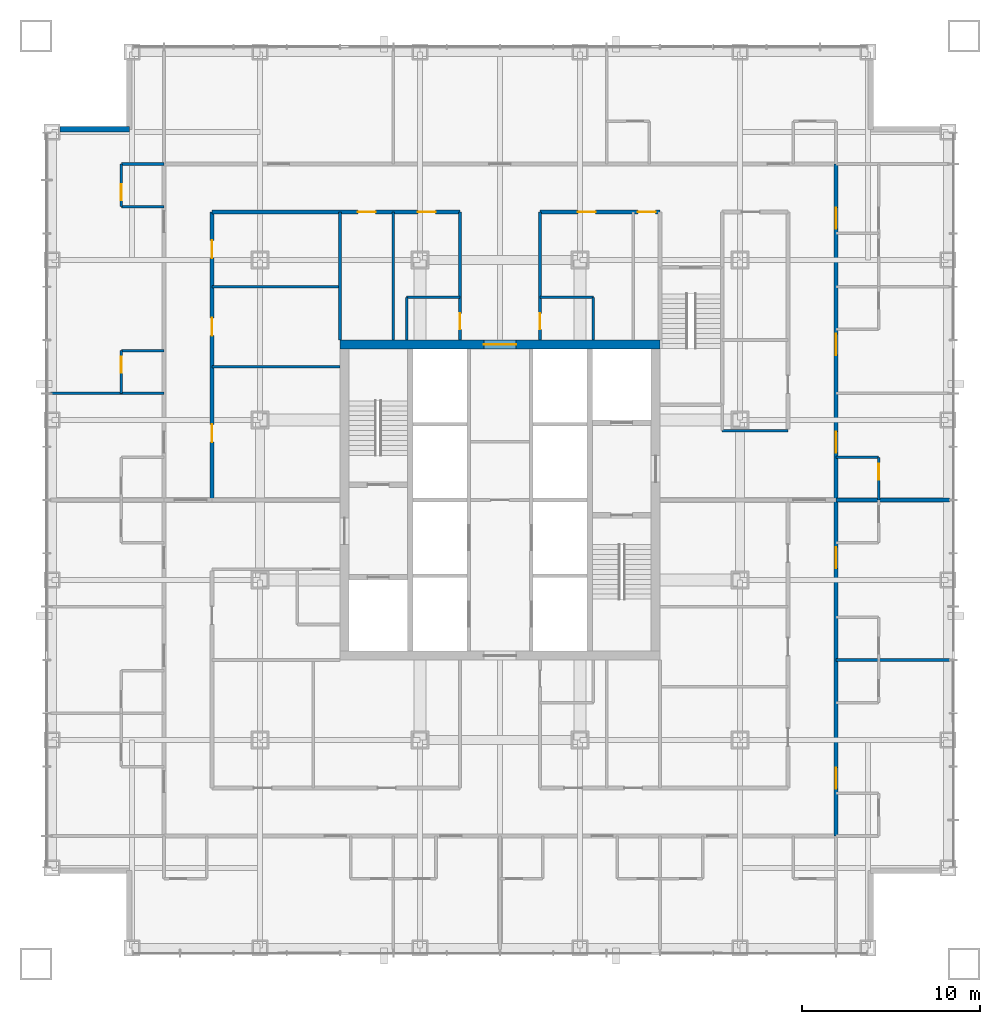
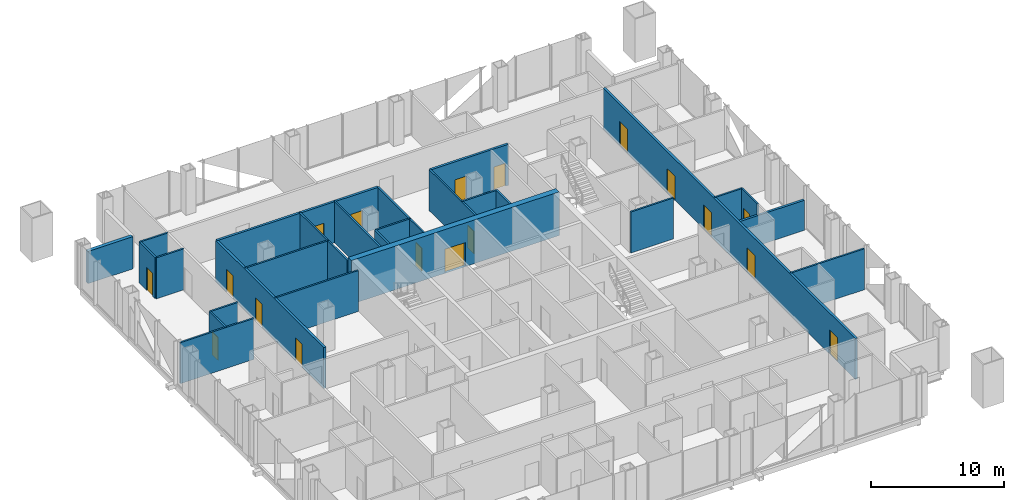
# One storey, part 10 of 17: 27 walls, 18 doors, 18 openings.
"""IFC4 building model written with IfcOpenShell, lengths in metres."""

import ifcopenshell
import ifcopenshell.guid

model = None  # the IFC model being written
_history = None  # IfcOwnerHistory: only IFC2X3 demands one
_inside = {}  # id of a spatial element -> (the spatial element, [elements in it])
_under = {}  # id of a project, library or spatial element -> (it, [spatial elements below it])
_declared = {}  # id of a project -> (the project, [libraries it declares])
_typed = {}  # id of a type object -> (the type object, [elements of that type])
_made_of = {}  # id of a material, layer set ... -> (it, [elements and type objects made of it])


def new_model(schema):
    """Start an empty IFC model of exactly this schema.

    Asked for "IFC4X3", IfcOpenShell would pick the latest addendum, in which some entities
    have other attributes; the version numbers below select the first issue.
    IFC2X3 requires an IfcOwnerHistory on every rooted entity: one is made here for all.
    """
    global model, _history
    if schema == "IFC4X3":
        model = ifcopenshell.file(schema_version=(4, 3, 0, 0))
    else:
        model = ifcopenshell.file(schema=schema)
    _inside.clear()
    _under.clear()
    _declared.clear()
    _typed.clear()
    _made_of.clear()
    _history = None
    if model.schema == "IFC2X3":
        org = make("IfcOrganization", Name="unknown")
        user = make(
            "IfcPersonAndOrganization",
            ThePerson=make("IfcPerson", FamilyName="unknown"),
            TheOrganization=org,
        )
        app = make(
            "IfcApplication",
            ApplicationDeveloper=org,
            Version="unknown",
            ApplicationFullName="unknown",
            ApplicationIdentifier="unknown",
        )
        _history = make(
            "IfcOwnerHistory",
            OwningUser=user,
            OwningApplication=app,
            ChangeAction="ADDED",
            CreationDate=0,
        )
    return model


def make(cls, **values):
    """One entity of the class cls with the attributes given. An attribute that is None is left unset."""
    return model.create_entity(
        cls, **{name: value for name, value in values.items() if value is not None}
    )


def rooted(cls, **values):
    """An entity with a GlobalId (a new one), such as an element, a storey or a relation."""
    return make(cls, GlobalId=ifcopenshell.guid.new(), OwnerHistory=_history, **values)


def si_unit(unit_type, name, prefix=None):
    """IfcSIUnit, for example si_unit("LENGTHUNIT", "METRE", prefix="MILLI")."""
    return make("IfcSIUnit", UnitType=unit_type, Prefix=prefix, Name=name)


def assignment(units):
    """IfcUnitAssignment: the units of a project."""
    return None if units is None else make("IfcUnitAssignment", Units=units)


def point(xyz):
    """IfcCartesianPoint."""
    return None if xyz is None else make("IfcCartesianPoint", Coordinates=xyz)


def direction(xyz):
    """IfcDirection."""
    return None if xyz is None else make("IfcDirection", DirectionRatios=xyz)


def frame(location, z_axis=None, x_axis=None):
    """IfcAxis2Placement3D, a coordinate frame: its origin and axes. An axis left out is left unset."""
    return make(
        "IfcAxis2Placement3D",
        Location=point(location),
        Axis=direction(z_axis),
        RefDirection=direction(x_axis),
    )


def frame_2d(location, x_axis=None):
    """IfcAxis2Placement2D, a coordinate frame in the plane: its origin and x axis."""
    return make(
        "IfcAxis2Placement2D", Location=point(location), RefDirection=direction(x_axis)
    )


def origin():
    """The frame at (0, 0, 0) with its axes left unset."""
    return frame((0.0, 0.0, 0.0))


def place(relative_to, where):
    """IfcLocalPlacement: puts the frame where relative to a parent placement (None: the world)."""
    return make(
        "IfcLocalPlacement", PlacementRelTo=relative_to, RelativePlacement=where
    )


def context(
    kind, dimensions, precision=None, world=None, true_north=None, identifier=None
):
    """IfcGeometricRepresentationContext, for example the 3D "Model" context."""
    return make(
        "IfcGeometricRepresentationContext",
        ContextIdentifier=identifier,
        ContextType=kind,
        CoordinateSpaceDimension=dimensions,
        Precision=precision,
        WorldCoordinateSystem=world,
        TrueNorth=true_north,
    )


def subcontext(parent, identifier, kind, view, scale=None):
    """IfcGeometricRepresentationSubContext, for example "Body" below "Model"."""
    return make(
        "IfcGeometricRepresentationSubContext",
        ContextIdentifier=identifier,
        ContextType=kind,
        ParentContext=parent,
        TargetScale=scale,
        TargetView=view,
    )


def project(units=None, contexts=None):
    """IfcProject with its units and contexts."""
    return rooted(
        "IfcProject",
        Name="project",
        RepresentationContexts=contexts,
        UnitsInContext=assignment(units),
    )


def spatial(cls, under=None, at=None, **own):
    """A site, building, storey or space (cls), placed at a placement, below another one or the project."""
    s = rooted(cls, ObjectPlacement=at, **own)
    if under is not None:
        _under.setdefault(under.id(), (under, []))[1].append(s)
    return s


def profile(cls, at=None, kind="AREA", **sizes):
    """A parametric profile (cls). Its sizes go by their IFC names, for example OverallWidth=200.0."""
    return make(cls, ProfileType=kind, Position=at, **sizes)


def rectangle(**sizes):
    """IfcRectangleProfileDef."""
    return profile("IfcRectangleProfileDef", **sizes)


def extrude(swept, where, along, depth):
    """IfcExtrudedAreaSolid: the profile swept, set in the frame where, extruded along a direction by depth."""
    return make(
        "IfcExtrudedAreaSolid",
        SweptArea=swept,
        Position=where,
        ExtrudedDirection=direction(along),
        Depth=depth,
    )


def shape(context_of_items, identifier, shape_type, items):
    """IfcShapeRepresentation: the items that make up one representation, for example the "Body"."""
    return make(
        "IfcShapeRepresentation",
        ContextOfItems=context_of_items,
        RepresentationIdentifier=identifier,
        RepresentationType=shape_type,
        Items=items,
    )


def material(Name=None, Category=None):
    """IfcMaterial."""
    return make("IfcMaterial", Name=Name, Category=Category)


def layer(
    of_material, thickness, ventilated=None, Name=None, Category=None, Priority=None
):
    """IfcMaterialLayer: one layer of a wall or slab, of a material (None: an air gap)."""
    return make(
        "IfcMaterialLayer",
        Material=of_material,
        LayerThickness=thickness,
        IsVentilated=ventilated,
        Name=Name,
        Category=Category,
        Priority=Priority,
    )


def layer_set(layers, Name=None):
    """IfcMaterialLayerSet."""
    return make("IfcMaterialLayerSet", MaterialLayers=layers, LayerSetName=Name)


def made_of(thing, what):
    """Note that an element or type object is made of a material, layer set ...; save() writes the relation."""
    if what is not None:
        _made_of.setdefault(what.id(), (what, []))[1].append(thing)
    return thing


def type_object(cls, material=None, **own):
    """A type object (cls), such as IfcWallType, which elements share."""
    return made_of(rooted(cls, **own), material)


def element(
    cls,
    number,
    at=None,
    inside=None,
    cuts=None,
    type_object=None,
    material=None,
    context=None,
    identifier="Body",
    shape_type=None,
    held_by="IfcProductDefinitionShape",
    body=None,
    shapes=None,
    **own,
):
    """One element of the class cls, such as IfcWall. Its Tag is "e" and its number.

    at: its placement. inside: the storey or other place that contains it. cuts: it is an
    opening in that element (IfcRelVoidsElement). A single representation is given by context,
    identifier, shape_type and body (its items); several are given by shapes. held_by: the class
    of the entity that holds the representations. save() writes the other relations.
    """
    e = rooted(cls, Tag="e%d" % number, ObjectPlacement=at, **own)
    if body is not None:
        shapes = [shape(context, identifier, shape_type, body)]
    if shapes is not None:
        e.Representation = make(held_by, Representations=shapes)
    if inside is not None:
        _inside.setdefault(inside.id(), (inside, []))[1].append(e)
    if cuts is not None:
        rooted(
            "IfcRelVoidsElement", RelatingBuildingElement=cuts, RelatedOpeningElement=e
        )
    if type_object is not None:
        _typed.setdefault(type_object.id(), (type_object, []))[1].append(e)
    return made_of(e, material)


def fill(opening, filler):
    """IfcRelFillsElement: the door or window that sits in an opening."""
    return rooted(
        "IfcRelFillsElement",
        RelatingOpeningElement=opening,
        RelatedBuildingElement=filler,
    )


def aggregate(whole, parts):
    """IfcRelAggregates: a whole, such as a stair, and the parts it consists of."""
    return rooted("IfcRelAggregates", RelatingObject=whole, RelatedObjects=parts)


def save(model, path):
    """Write the relations noted so far, then the file.

    IfcRelAggregates (storeys below a building ...), IfcRelContainedInSpatialStructure (elements
    in a storey), IfcRelDefinesByType, IfcRelAssociatesMaterial and IfcRelDeclares: one each for
    every whole, place, type object, material and project.
    """
    for whole, parts in _under.values():
        aggregate(whole, parts)
    for where, things in _inside.values():
        rooted(
            "IfcRelContainedInSpatialStructure",
            RelatedElements=things,
            RelatingStructure=where,
        )
    for kind, things in _typed.values():
        rooted("IfcRelDefinesByType", RelatedObjects=things, RelatingType=kind)
    for what, things in _made_of.values():
        rooted("IfcRelAssociatesMaterial", RelatedObjects=things, RelatingMaterial=what)
    for by, libraries in _declared.values():
        rooted("IfcRelDeclares", RelatingContext=by, RelatedDefinitions=libraries)
    model.write(path)


model = new_model("IFC4")

# Units and contexts
model_context = context("Model", 3, precision=1e-05, world=origin(), true_north=direction((0.0, 1.0)))
body_context = subcontext(model_context, "Body", "Model", "MODEL_VIEW")
ifc_project = project(units=[si_unit("LENGTHUNIT", "METRE"), si_unit("AREAUNIT", "SQUARE_METRE"), si_unit("VOLUMEUNIT", "CUBIC_METRE"), si_unit("PLANEANGLEUNIT", "RADIAN"), si_unit("MASSUNIT", "GRAM", prefix="KILO")], contexts=[model_context])

# Site, building, storey
site_placement = place(None, origin())
site = spatial("IfcSite", under=ifc_project, at=site_placement, CompositionType="ELEMENT")
building_placement = place(site_placement, origin())
building = spatial("IfcBuilding", under=site, at=building_placement, Name="Malebo Sky Hospital", CompositionType="ELEMENT")
storey_placement = place(building_placement, frame((0.0, 0.0, 83.0)))
storey = spatial("IfcBuildingStorey", under=building, at=storey_placement, Name="L19", CompositionType="ELEMENT", Elevation=83.0)

# Wall, opening, door
ifc_material_1 = material(Name="Concrete C80/95", Category="concrete")
ifc_layer_1 = layer(ifc_material_1, 0.5)
ifc_layer_set_1 = layer_set([ifc_layer_1], Name="CORE WALL 500")
wall_type_1 = type_object("IfcWallType", Name="CORE WALL 500", PredefinedType="SHEAR", material=ifc_layer_set_1)
wall_1_placement = place(storey_placement, frame((51.0, 70.75, 0.0), z_axis=(0.0, 0.0, 1.0), x_axis=(1.0, 0.0, 0.0)))
wall_1 = element("IfcWall", 1, at=wall_1_placement, inside=storey, type_object=wall_type_1, Name="Core wall N L19", PredefinedType="SHEAR", context=body_context, shape_type="SweptSolid", body=[
    extrude(rectangle(XDim=18.0, YDim=0.5, at=frame_2d((9.0, 0.0))), origin(), (0.0, 0.0, 1.0), 4.0),
])
opening_1_placement = place(wall_1_placement, frame((8.10009765625, 0.0, 0.0)))
opening_1 = element("IfcOpeningElement", 2, at=opening_1_placement, cuts=wall_1, Name="Opening D06", PredefinedType="OPENING", context=body_context, shape_type="SweptSolid", body=[
    extrude(rectangle(XDim=1.800048828125, YDim=2.199951171875, at=frame_2d((0.89990234375, 1.10009765625))), frame((0.0, 0.260009765625, 0.0), z_axis=(0.0, -1.0, 0.0), x_axis=(1.0, 0.0, 0.0)), (0.0, 0.0, 1.0), 0.52001953125),
])
ifc_material_2 = material(Name="Hardwood-faced door leaf in steel frame", Category="steel")
door_type_1 = type_object("IfcDoorType", Name="LOBBY DOOR PAIR 1800", OperationType="DOUBLE_DOOR_SINGLE_SWING", PredefinedType="DOOR", material=ifc_material_2)
door_1_placement = place(opening_1_placement, origin())
door_1 = element("IfcDoor", 3, at=door_1_placement, inside=storey, type_object=door_type_1, Name="staff rest room door north", OperationType="DOUBLE_DOOR_SINGLE_SWING", OverallHeight=2.199951171875, OverallWidth=1.800048828125, PredefinedType="DOOR", context=body_context, shape_type="SweptSolid", body=[
    extrude(rectangle(XDim=1.800048828125, YDim=2.199951171875, at=frame_2d((0.89990234375, 1.10009765625))), frame((0.0, 0.02490234375, 0.0), z_axis=(0.0, -1.0, 0.0), x_axis=(1.0, 0.0, 0.0)), (0.0, 0.0, 1.0), 0.050048828125),
])
fill(opening_1, door_1)

# Wall, openings, doors
ifc_material_3 = material(Name="Gypsum board on steel studs", Category="steel")
ifc_layer_2 = layer(ifc_material_3, 0.199951171875)
ifc_layer_set_2 = layer_set([ifc_layer_2], Name="CORRIDOR WALL 200")
wall_type_2 = type_object("IfcWallType", Name="CORRIDOR WALL 200", PredefinedType="PARTITIONING", material=ifc_layer_set_2)
wall_2_placement = place(storey_placement, frame((43.800048828125, 78.199951171875, 0.0), z_axis=(0.0, 0.0, 1.0), x_axis=(1.0, 0.0, 0.0)))
wall_2 = element("IfcWall", 4, at=wall_2_placement, inside=storey, type_object=wall_type_2, Name="Corridor Wall 200 NCI1", PredefinedType="PARTITIONING", context=body_context, shape_type="SweptSolid", body=[
    extrude(rectangle(XDim=13.949951171875, YDim=0.199951171875, at=frame_2d((6.97509765625, 0.0))), origin(), (0.0, 0.0, 1.0), 3.75),
])
opening_2_placement = place(wall_2_placement, frame((8.199951171875, 0.0, 0.0)))
opening_2 = element("IfcOpeningElement", 5, at=opening_2_placement, cuts=wall_2, Name="Opening D03", PredefinedType="OPENING", context=body_context, shape_type="SweptSolid", body=[
    extrude(rectangle(XDim=1.0, YDim=2.10009765625, at=frame_2d((0.5, 1.050048828125))), frame((0.0, 0.10986328125, 0.0), z_axis=(0.0, -1.0, 0.0), x_axis=(1.0, 0.0, 0.0)), (0.0, 0.0, 1.0), 0.219970703125),
])
opening_3_placement = place(wall_2_placement, frame((11.574951171875, 0.0, 0.0)))
opening_3 = element("IfcOpeningElement", 6, at=opening_3_placement, cuts=wall_2, Name="Opening D03", PredefinedType="OPENING", context=body_context, shape_type="SweptSolid", body=[
    extrude(rectangle(XDim=1.0, YDim=2.10009765625, at=frame_2d((0.5, 1.050048828125))), frame((0.0, 0.10986328125, 0.0), z_axis=(0.0, -1.0, 0.0), x_axis=(1.0, 0.0, 0.0)), (0.0, 0.0, 1.0), 0.219970703125),
])
door_type_2 = type_object("IfcDoorType", Name="ROOM DOOR 1000", OperationType="SINGLE_SWING_LEFT", PredefinedType="DOOR", material=ifc_material_2)
door_2_placement = place(opening_2_placement, origin())
door_2 = element("IfcDoor", 7, at=door_2_placement, inside=storey, type_object=door_type_2, Name="Equipment store door", OperationType="SINGLE_SWING_LEFT", OverallHeight=2.10009765625, OverallWidth=1.0, PredefinedType="DOOR", context=body_context, shape_type="SweptSolid", body=[
    extrude(rectangle(XDim=1.0, YDim=2.10009765625, at=frame_2d((0.5, 1.050048828125))), frame((0.0, 0.02490234375, 0.0), z_axis=(0.0, -1.0, 0.0), x_axis=(1.0, 0.0, 0.0)), (0.0, 0.0, 1.0), 0.050048828125),
])
fill(opening_2, door_2)
door_3_placement = place(opening_3_placement, origin())
door_3 = element("IfcDoor", 8, at=door_3_placement, inside=storey, type_object=door_type_2, Name="Linen store door", OperationType="SINGLE_SWING_LEFT", OverallHeight=2.10009765625, OverallWidth=1.0, PredefinedType="DOOR", context=body_context, shape_type="SweptSolid", body=[
    extrude(rectangle(XDim=1.0, YDim=2.10009765625, at=frame_2d((0.5, 1.050048828125))), frame((0.0, 0.02490234375, 0.0), z_axis=(0.0, -1.0, 0.0), x_axis=(1.0, 0.0, 0.0)), (0.0, 0.0, 1.0), 0.050048828125),
])
fill(opening_3, door_3)

wall_3_placement = place(storey_placement, frame((62.25, 78.199951171875, 0.0), z_axis=(0.0, 0.0, 1.0), x_axis=(1.0, 0.0, 0.0)))
wall_3 = element("IfcWall", 9, at=wall_3_placement, inside=storey, type_object=wall_type_2, Name="Corridor Wall 200 NCI2", PredefinedType="PARTITIONING", context=body_context, shape_type="SweptSolid", body=[
    extrude(rectangle(XDim=6.75, YDim=0.199951171875, at=frame_2d((3.375, 0.0))), origin(), (0.0, 0.0, 1.0), 3.75),
])
opening_4_placement = place(wall_3_placement, frame((2.125, 0.0, 0.0)))
opening_4 = element("IfcOpeningElement", 10, at=opening_4_placement, cuts=wall_3, Name="Opening D03", PredefinedType="OPENING", context=body_context, shape_type="SweptSolid", body=[
    extrude(rectangle(XDim=1.0, YDim=2.10009765625, at=frame_2d((0.5, 1.050048828125))), frame((0.0, 0.10986328125, 0.0), z_axis=(0.0, -1.0, 0.0), x_axis=(1.0, 0.0, 0.0)), (0.0, 0.0, 1.0), 0.219970703125),
])
opening_5_placement = place(wall_3_placement, frame((5.5, 0.0, 0.0)))
opening_5 = element("IfcOpeningElement", 11, at=opening_5_placement, cuts=wall_3, Name="Opening D03", PredefinedType="OPENING", context=body_context, shape_type="SweptSolid", body=[
    extrude(rectangle(XDim=1.0, YDim=2.10009765625, at=frame_2d((0.5, 1.050048828125))), frame((0.0, 0.10986328125, 0.0), z_axis=(0.0, -1.0, 0.0), x_axis=(1.0, 0.0, 0.0)), (0.0, 0.0, 1.0), 0.219970703125),
])
door_4_placement = place(opening_4_placement, origin())
door_4 = element("IfcDoor", 12, at=door_4_placement, inside=storey, type_object=door_type_2, Name="Ward pantry door", OperationType="SINGLE_SWING_LEFT", OverallHeight=2.10009765625, OverallWidth=1.0, PredefinedType="DOOR", context=body_context, shape_type="SweptSolid", body=[
    extrude(rectangle(XDim=1.0, YDim=2.10009765625, at=frame_2d((0.5, 1.050048828125))), frame((0.0, 0.02490234375, 0.0), z_axis=(0.0, -1.0, 0.0), x_axis=(1.0, 0.0, 0.0)), (0.0, 0.0, 1.0), 0.050048828125),
])
fill(opening_4, door_4)
door_5_placement = place(opening_5_placement, origin())
door_5 = element("IfcDoor", 13, at=door_5_placement, inside=storey, type_object=door_type_2, Name="Staff base door", OperationType="SINGLE_SWING_RIGHT", OverallHeight=2.10009765625, OverallWidth=1.0, PredefinedType="DOOR", context=body_context, shape_type="SweptSolid", body=[
    extrude(rectangle(XDim=1.0, YDim=2.10009765625, at=frame_2d((0.5, 1.050048828125))), frame((0.0, 0.02490234375, 0.0), z_axis=(0.0, -1.0, 0.0), x_axis=(1.0, 0.0, 0.0)), (0.0, 0.0, 1.0), 0.050048828125),
])
fill(opening_5, door_5)

wall_4_placement = place(storey_placement, frame((43.800048828125, 62.0, 0.0), z_axis=(0.0, 0.0, 1.0), x_axis=(0.0, 1.0, 0.0)))
wall_4 = element("IfcWall", 14, at=wall_4_placement, inside=storey, type_object=wall_type_2, Name="Corridor Wall 200 WCI2", PredefinedType="PARTITIONING", context=body_context, shape_type="SweptSolid", body=[
    extrude(rectangle(XDim=16.199951171875, YDim=0.199951171875, at=frame_2d((8.10009765625, 0.0))), origin(), (0.0, 0.0, 1.0), 3.75),
])
opening_6_placement = place(wall_4_placement, frame((3.25, 0.0, 0.0)))
opening_6 = element("IfcOpeningElement", 15, at=opening_6_placement, cuts=wall_4, Name="Opening D03", PredefinedType="OPENING", context=body_context, shape_type="SweptSolid", body=[
    extrude(rectangle(XDim=1.0, YDim=2.10009765625, at=frame_2d((0.5, 1.050048828125))), frame((0.0, 0.10986328125, 0.0), z_axis=(0.0, -1.0, 0.0), x_axis=(1.0, 0.0, 0.0)), (0.0, 0.0, 1.0), 0.219970703125),
])
opening_7_placement = place(wall_4_placement, frame((9.25, 0.0, 0.0)))
opening_7 = element("IfcOpeningElement", 16, at=opening_7_placement, cuts=wall_4, Name="Opening D03", PredefinedType="OPENING", context=body_context, shape_type="SweptSolid", body=[
    extrude(rectangle(XDim=1.0, YDim=2.10009765625, at=frame_2d((0.5, 1.050048828125))), frame((0.0, 0.10986328125, 0.0), z_axis=(0.0, -1.0, 0.0), x_axis=(1.0, 0.0, 0.0)), (0.0, 0.0, 1.0), 0.219970703125),
])
opening_8_placement = place(wall_4_placement, frame((13.60009765625, 0.0, 0.0)))
opening_8 = element("IfcOpeningElement", 17, at=opening_8_placement, cuts=wall_4, Name="Opening D03", PredefinedType="OPENING", context=body_context, shape_type="SweptSolid", body=[
    extrude(rectangle(XDim=1.0, YDim=2.10009765625, at=frame_2d((0.5, 1.050048828125))), frame((0.0, 0.10986328125, 0.0), z_axis=(0.0, -1.0, 0.0), x_axis=(1.0, 0.0, 0.0)), (0.0, 0.0, 1.0), 0.219970703125),
])
door_6_placement = place(opening_6_placement, origin())
door_6 = element("IfcDoor", 18, at=door_6_placement, inside=storey, type_object=door_type_2, Name="Staff rest room door", OperationType="SINGLE_SWING_LEFT", OverallHeight=2.10009765625, OverallWidth=1.0, PredefinedType="DOOR", context=body_context, shape_type="SweptSolid", body=[
    extrude(rectangle(XDim=1.0, YDim=2.10009765625, at=frame_2d((0.5, 1.050048828125))), frame((0.0, 0.02490234375, 0.0), z_axis=(0.0, -1.0, 0.0), x_axis=(1.0, 0.0, 0.0)), (0.0, 0.0, 1.0), 0.050048828125),
])
fill(opening_6, door_6)
door_7_placement = place(opening_7_placement, origin())
door_7 = element("IfcDoor", 19, at=door_7_placement, inside=storey, type_object=door_type_2, Name="Seminar room door", OperationType="SINGLE_SWING_LEFT", OverallHeight=2.10009765625, OverallWidth=1.0, PredefinedType="DOOR", context=body_context, shape_type="SweptSolid", body=[
    extrude(rectangle(XDim=1.0, YDim=2.10009765625, at=frame_2d((0.5, 1.050048828125))), frame((0.0, 0.02490234375, 0.0), z_axis=(0.0, -1.0, 0.0), x_axis=(1.0, 0.0, 0.0)), (0.0, 0.0, 1.0), 0.050048828125),
])
fill(opening_7, door_7)
door_8_placement = place(opening_8_placement, origin())
door_8 = element("IfcDoor", 20, at=door_8_placement, inside=storey, type_object=door_type_2, Name="Dirty utility room door", OperationType="SINGLE_SWING_RIGHT", OverallHeight=2.10009765625, OverallWidth=1.0, PredefinedType="DOOR", context=body_context, shape_type="SweptSolid", body=[
    extrude(rectangle(XDim=1.0, YDim=2.10009765625, at=frame_2d((0.5, 1.050048828125))), frame((0.0, 0.02490234375, 0.0), z_axis=(0.0, -1.0, 0.0), x_axis=(1.0, 0.0, 0.0)), (0.0, 0.0, 1.0), 0.050048828125),
])
fill(opening_8, door_8)

wall_5_placement = place(storey_placement, frame((78.89990234375, 80.89990234375, 0.0), z_axis=(0.0, 0.0, 1.0), x_axis=(0.0, -1.0, 0.0)))
wall_5 = element("IfcWall", 21, at=wall_5_placement, inside=storey, type_object=wall_type_2, Name="Corridor Wall 200 ECO", PredefinedType="PARTITIONING", context=body_context, shape_type="SweptSolid", body=[
    extrude(rectangle(XDim=37.7998046875, YDim=0.199951171875, at=frame_2d((18.89990234375, 0.0))), origin(), (0.0, 0.0, 1.0), 3.75),
])
opening_9_placement = place(wall_5_placement, frame((2.449951171875, 0.0, 0.0)))
opening_9 = element("IfcOpeningElement", 22, at=opening_9_placement, cuts=wall_5, Name="Opening D18", PredefinedType="OPENING", context=body_context, shape_type="SweptSolid", body=[
    extrude(rectangle(XDim=1.199951171875, YDim=2.199951171875, at=frame_2d((0.60009765625, 1.10009765625))), frame((0.0, 0.10986328125, 0.0), z_axis=(0.0, -1.0, 0.0), x_axis=(1.0, 0.0, 0.0)), (0.0, 0.0, 1.0), 0.219970703125),
])
opening_10_placement = place(wall_5_placement, frame((9.550048828125, 0.0, 0.0)))
opening_10 = element("IfcOpeningElement", 23, at=opening_10_placement, cuts=wall_5, Name="Opening D01", PredefinedType="OPENING", context=body_context, shape_type="SweptSolid", body=[
    extrude(rectangle(XDim=1.199951171875, YDim=2.199951171875, at=frame_2d((0.60009765625, 1.10009765625))), frame((0.0, 0.10986328125, 0.0), z_axis=(0.0, -1.0, 0.0), x_axis=(1.0, 0.0, 0.0)), (0.0, 0.0, 1.0), 0.219970703125),
])
opening_11_placement = place(wall_5_placement, frame((15.050048828125, 0.0, 0.0)))
opening_11 = element("IfcOpeningElement", 24, at=opening_11_placement, cuts=wall_5, Name="Opening D01", PredefinedType="OPENING", context=body_context, shape_type="SweptSolid", body=[
    extrude(rectangle(XDim=1.199951171875, YDim=2.199951171875, at=frame_2d((0.60009765625, 1.10009765625))), frame((0.0, 0.10986328125, 0.0), z_axis=(0.0, -1.0, 0.0), x_axis=(1.0, 0.0, 0.0)), (0.0, 0.0, 1.0), 0.219970703125),
])
opening_12_placement = place(wall_5_placement, frame((21.550048828125, 0.0, 0.0)))
opening_12 = element("IfcOpeningElement", 25, at=opening_12_placement, cuts=wall_5, Name="Opening D01", PredefinedType="OPENING", context=body_context, shape_type="SweptSolid", body=[
    extrude(rectangle(XDim=1.199951171875, YDim=2.199951171875, at=frame_2d((0.60009765625, 1.10009765625))), frame((0.0, 0.10986328125, 0.0), z_axis=(0.0, -1.0, 0.0), x_axis=(1.0, 0.0, 0.0)), (0.0, 0.0, 1.0), 0.219970703125),
])
opening_13_placement = place(wall_5_placement, frame((33.949951171875, 0.0, 0.0)))
opening_13 = element("IfcOpeningElement", 26, at=opening_13_placement, cuts=wall_5, Name="Opening D01", PredefinedType="OPENING", context=body_context, shape_type="SweptSolid", body=[
    extrude(rectangle(XDim=1.199951171875, YDim=2.199951171875, at=frame_2d((0.60009765625, 1.10009765625))), frame((0.0, 0.10986328125, 0.0), z_axis=(0.0, -1.0, 0.0), x_axis=(1.0, 0.0, 0.0)), (0.0, 0.0, 1.0), 0.219970703125),
])
door_type_3 = type_object("IfcDoorType", Name="ANTEROOM DOOR 1200", OperationType="SINGLE_SWING_LEFT", PredefinedType="DOOR", material=ifc_material_2)
door_9_placement = place(opening_9_placement, origin())
door_9 = element("IfcDoor", 27, at=door_9_placement, inside=storey, type_object=door_type_3, Name="Anteroom door", OperationType="SINGLE_SWING_RIGHT", OverallHeight=2.199951171875, OverallWidth=1.199951171875, PredefinedType="DOOR", context=body_context, shape_type="SweptSolid", body=[
    extrude(rectangle(XDim=1.199951171875, YDim=2.199951171875, at=frame_2d((0.60009765625, 1.10009765625))), frame((0.0, 0.02490234375, 0.0), z_axis=(0.0, -1.0, 0.0), x_axis=(1.0, 0.0, 0.0)), (0.0, 0.0, 1.0), 0.050048828125),
])
fill(opening_9, door_9)
door_type_4 = type_object("IfcDoorType", Name="BED DOOR 1200", OperationType="SINGLE_SWING_LEFT", PredefinedType="DOOR", material=ifc_material_2)
door_10_placement = place(opening_10_placement, origin())
door_10 = element("IfcDoor", 28, at=door_10_placement, inside=storey, type_object=door_type_4, Name="Single bed room door", OperationType="SINGLE_SWING_LEFT", OverallHeight=2.199951171875, OverallWidth=1.199951171875, PredefinedType="DOOR", context=body_context, shape_type="SweptSolid", body=[
    extrude(rectangle(XDim=1.199951171875, YDim=2.199951171875, at=frame_2d((0.60009765625, 1.10009765625))), frame((0.0, 0.02490234375, 0.0), z_axis=(0.0, -1.0, 0.0), x_axis=(1.0, 0.0, 0.0)), (0.0, 0.0, 1.0), 0.050048828125),
])
fill(opening_10, door_10)
door_11_placement = place(opening_11_placement, origin())
door_11 = element("IfcDoor", 29, at=door_11_placement, inside=storey, type_object=door_type_4, Name="Single bed room door", OperationType="SINGLE_SWING_RIGHT", OverallHeight=2.199951171875, OverallWidth=1.199951171875, PredefinedType="DOOR", context=body_context, shape_type="SweptSolid", body=[
    extrude(rectangle(XDim=1.199951171875, YDim=2.199951171875, at=frame_2d((0.60009765625, 1.10009765625))), frame((0.0, 0.02490234375, 0.0), z_axis=(0.0, -1.0, 0.0), x_axis=(1.0, 0.0, 0.0)), (0.0, 0.0, 1.0), 0.050048828125),
])
fill(opening_11, door_11)
door_12_placement = place(opening_12_placement, origin())
door_12 = element("IfcDoor", 30, at=door_12_placement, inside=storey, type_object=door_type_4, Name="Four-bed bay door", OperationType="SINGLE_SWING_LEFT", OverallHeight=2.199951171875, OverallWidth=1.199951171875, PredefinedType="DOOR", context=body_context, shape_type="SweptSolid", body=[
    extrude(rectangle(XDim=1.199951171875, YDim=2.199951171875, at=frame_2d((0.60009765625, 1.10009765625))), frame((0.0, 0.02490234375, 0.0), z_axis=(0.0, -1.0, 0.0), x_axis=(1.0, 0.0, 0.0)), (0.0, 0.0, 1.0), 0.050048828125),
])
fill(opening_12, door_12)
door_13_placement = place(opening_13_placement, origin())
door_13 = element("IfcDoor", 31, at=door_13_placement, inside=storey, type_object=door_type_4, Name="Four-bed bay door", OperationType="SINGLE_SWING_RIGHT", OverallHeight=2.199951171875, OverallWidth=1.199951171875, PredefinedType="DOOR", context=body_context, shape_type="SweptSolid", body=[
    extrude(rectangle(XDim=1.199951171875, YDim=2.199951171875, at=frame_2d((0.60009765625, 1.10009765625))), frame((0.0, 0.02490234375, 0.0), z_axis=(0.0, -1.0, 0.0), x_axis=(1.0, 0.0, 0.0)), (0.0, 0.0, 1.0), 0.050048828125),
])
fill(opening_13, door_13)

# Walls
ifc_material_4 = material(Name="Anodised aluminium rainscreen on steel framing", Category="steel")
ifc_layer_3 = layer(ifc_material_4, 0.300048828125)
ifc_layer_set_3 = layer_set([ifc_layer_3], Name="NOTCH RAINSCREEN WALL 300")
wall_type_3 = type_object("IfcWallType", Name="NOTCH RAINSCREEN WALL 300", PredefinedType="ELEMENTEDWALL", material=ifc_layer_set_3)
wall_6_placement = place(storey_placement, frame((35.25, 82.85009765625, 0.0), z_axis=(0.0, 0.0, 1.0), x_axis=(1.0, 0.0, 0.0)))
element("IfcWall", 32, at=wall_6_placement, inside=storey, type_object=wall_type_3, Name="Notch rainscreen wall W1 L19", PredefinedType="ELEMENTEDWALL", context=body_context, shape_type="SweptSolid", body=[
    extrude(rectangle(XDim=3.89990234375, YDim=0.300048828125, at=frame_2d((1.949951171875, 0.0))), origin(), (0.0, 0.0, 1.0), 2.949951171875),
])
ifc_layer_4 = layer(ifc_material_3, 0.14990234375)
ifc_layer_set_4 = layer_set([ifc_layer_4], Name="PARTITION 150")
wall_type_4 = type_object("IfcWallType", Name="PARTITION 150", PredefinedType="PARTITIONING", material=ifc_layer_set_4)
wall_7_placement = place(storey_placement, frame((51.0, 71.0, 0.0), z_axis=(0.0, 0.0, 1.0), x_axis=(0.0, 1.0, 0.0)))
element("IfcWall", 33, at=wall_7_placement, inside=storey, type_object=wall_type_4, Name="Partition 150 NSP0", PredefinedType="PARTITIONING", context=body_context, shape_type="SweptSolid", body=[
    extrude(rectangle(XDim=7.199951171875, YDim=0.14990234375, at=frame_2d((3.60009765625, 0.0))), origin(), (0.0, 0.0, 1.0), 3.75),
])

# Wall, opening, door
wall_8_placement = place(storey_placement, frame((57.75, 71.0, 0.0), z_axis=(0.0, 0.0, 1.0), x_axis=(0.0, 1.0, 0.0)))
wall_8 = element("IfcWall", 34, at=wall_8_placement, inside=storey, type_object=wall_type_4, Name="Partition 150 NSPA", PredefinedType="PARTITIONING", context=body_context, shape_type="SweptSolid", body=[
    extrude(rectangle(XDim=7.199951171875, YDim=0.14990234375, at=frame_2d((3.60009765625, 0.0))), origin(), (0.0, 0.0, 1.0), 3.75),
])
opening_14_placement = place(wall_8_placement, frame((0.60009765625, 0.0, 0.0)))
opening_14 = element("IfcOpeningElement", 35, at=opening_14_placement, cuts=wall_8, Name="Opening D04", PredefinedType="OPENING", context=body_context, shape_type="SweptSolid", body=[
    extrude(rectangle(XDim=0.89990234375, YDim=2.10009765625, at=frame_2d((0.449951171875, 1.050048828125))), frame((0.0, 0.0849609375, 0.0), z_axis=(0.0, -1.0, 0.0), x_axis=(1.0, 0.0, 0.0)), (0.0, 0.0, 1.0), 0.169921875),
])
door_type_5 = type_object("IfcDoorType", Name="ROOM DOOR 900", OperationType="SINGLE_SWING_LEFT", PredefinedType="DOOR", material=ifc_material_2)
door_14_placement = place(opening_14_placement, origin())
door_14 = element("IfcDoor", 36, at=door_14_placement, inside=storey, type_object=door_type_5, Name="Staff WC door", OperationType="SINGLE_SWING_LEFT", OverallHeight=2.10009765625, OverallWidth=0.89990234375, PredefinedType="DOOR", context=body_context, shape_type="SweptSolid", body=[
    extrude(rectangle(XDim=0.89990234375, YDim=2.10009765625, at=frame_2d((0.449951171875, 1.050048828125))), frame((0.0, 0.02490234375, 0.0), z_axis=(0.0, -1.0, 0.0), x_axis=(1.0, 0.0, 0.0)), (0.0, 0.0, 1.0), 0.050048828125),
])
fill(opening_14, door_14)

wall_9_placement = place(storey_placement, frame((62.25, 71.0, 0.0), z_axis=(0.0, 0.0, 1.0), x_axis=(0.0, 1.0, 0.0)))
wall_9 = element("IfcWall", 37, at=wall_9_placement, inside=storey, type_object=wall_type_4, Name="Partition 150 NSPB", PredefinedType="PARTITIONING", context=body_context, shape_type="SweptSolid", body=[
    extrude(rectangle(XDim=7.199951171875, YDim=0.14990234375, at=frame_2d((3.60009765625, 0.0))), origin(), (0.0, 0.0, 1.0), 3.75),
])
opening_15_placement = place(wall_9_placement, frame((0.60009765625, 0.0, 0.0)))
opening_15 = element("IfcOpeningElement", 38, at=opening_15_placement, cuts=wall_9, Name="Opening D04", PredefinedType="OPENING", context=body_context, shape_type="SweptSolid", body=[
    extrude(rectangle(XDim=0.89990234375, YDim=2.10009765625, at=frame_2d((0.449951171875, 1.050048828125))), frame((0.0, 0.0849609375, 0.0), z_axis=(0.0, -1.0, 0.0), x_axis=(1.0, 0.0, 0.0)), (0.0, 0.0, 1.0), 0.169921875),
])
door_15_placement = place(opening_15_placement, origin())
door_15 = element("IfcDoor", 39, at=door_15_placement, inside=storey, type_object=door_type_5, Name="Accessible WC door", OperationType="SINGLE_SWING_LEFT", OverallHeight=2.10009765625, OverallWidth=0.89990234375, PredefinedType="DOOR", context=body_context, shape_type="SweptSolid", body=[
    extrude(rectangle(XDim=0.89990234375, YDim=2.10009765625, at=frame_2d((0.449951171875, 1.050048828125))), frame((0.0, 0.02490234375, 0.0), z_axis=(0.0, -1.0, 0.0), x_axis=(1.0, 0.0, 0.0)), (0.0, 0.0, 1.0), 0.050048828125),
])
fill(opening_15, door_15)

# Walls
wall_10_placement = place(storey_placement, frame((54.0, 71.0, 0.0), z_axis=(0.0, 0.0, 1.0), x_axis=(0.0, 1.0, 0.0)))
element("IfcWall", 40, at=wall_10_placement, inside=storey, type_object=wall_type_4, Name="Partition 150 NSP-6.0", PredefinedType="PARTITIONING", context=body_context, shape_type="SweptSolid", body=[
    extrude(rectangle(XDim=7.199951171875, YDim=0.14990234375, at=frame_2d((3.60009765625, 0.0))), origin(), (0.0, 0.0, 1.0), 3.75),
])
wall_11_placement = place(storey_placement, frame((54.75, 73.39990234375, 0.0), z_axis=(0.0, 0.0, 1.0), x_axis=(1.0, 0.0, 0.0)))
element("IfcWall", 41, at=wall_11_placement, inside=storey, type_object=wall_type_4, Name="Partition 150 NSX1", PredefinedType="PARTITIONING", context=body_context, shape_type="SweptSolid", body=[
    extrude(rectangle(XDim=3.0, YDim=0.14990234375, at=frame_2d((1.5, 0.0))), origin(), (0.0, 0.0, 1.0), 3.75),
])
wall_12_placement = place(storey_placement, frame((54.75, 71.0, 0.0), z_axis=(0.0, 0.0, 1.0), x_axis=(0.0, 1.0, 0.0)))
element("IfcWall", 42, at=wall_12_placement, inside=storey, type_object=wall_type_4, Name="Partition 150 NSY1", PredefinedType="PARTITIONING", context=body_context, shape_type="SweptSolid", body=[
    extrude(rectangle(XDim=2.39990234375, YDim=0.14990234375, at=frame_2d((1.199951171875, 0.0))), origin(), (0.0, 0.0, 1.0), 3.75),
])
wall_13_placement = place(storey_placement, frame((62.25, 73.39990234375, 0.0), z_axis=(0.0, 0.0, 1.0), x_axis=(1.0, 0.0, 0.0)))
element("IfcWall", 43, at=wall_13_placement, inside=storey, type_object=wall_type_4, Name="Partition 150 NSX2", PredefinedType="PARTITIONING", context=body_context, shape_type="SweptSolid", body=[
    extrude(rectangle(XDim=3.0, YDim=0.14990234375, at=frame_2d((1.5, 0.0))), origin(), (0.0, 0.0, 1.0), 3.75),
])
wall_14_placement = place(storey_placement, frame((65.25, 71.0, 0.0), z_axis=(0.0, 0.0, 1.0), x_axis=(0.0, 1.0, 0.0)))
element("IfcWall", 44, at=wall_14_placement, inside=storey, type_object=wall_type_4, Name="Partition 150 NSY2", PredefinedType="PARTITIONING", context=body_context, shape_type="SweptSolid", body=[
    extrude(rectangle(XDim=2.39990234375, YDim=0.14990234375, at=frame_2d((1.199951171875, 0.0))), origin(), (0.0, 0.0, 1.0), 3.75),
])
wall_15_placement = place(storey_placement, frame((41.10009765625, 68.0, 0.0), z_axis=(0.0, 0.0, 1.0), x_axis=(-1.0, 0.0, 0.0)))
element("IfcWall", 45, at=wall_15_placement, inside=storey, type_object=wall_type_4, Name="Partition 150 WP+6.0", PredefinedType="PARTITIONING", context=body_context, shape_type="SweptSolid", body=[
    extrude(rectangle(XDim=6.375, YDim=0.14990234375, at=frame_2d((3.1875, 0.0))), origin(), (0.0, 0.0, 1.0), 3.75),
])

# Wall, opening, door
wall_16_placement = place(storey_placement, frame((38.699951171875, 78.5, 0.0), z_axis=(0.0, 0.0, 1.0), x_axis=(0.0, 1.0, 0.0)))
wall_16 = element("IfcWall", 46, at=wall_16_placement, inside=storey, type_object=wall_type_4, Name="Partition 150 WE4F", PredefinedType="PARTITIONING", context=body_context, shape_type="SweptSolid", body=[
    extrude(rectangle(XDim=2.39990234375, YDim=0.14990234375, at=frame_2d((1.199951171875, 0.0))), origin(), (0.0, 0.0, 1.0), 3.75),
])
opening_16_placement = place(wall_16_placement, frame((0.35009765625, 0.0, 0.0)))
opening_16 = element("IfcOpeningElement", 47, at=opening_16_placement, cuts=wall_16, Name="Opening D02", PredefinedType="OPENING", context=body_context, shape_type="SweptSolid", body=[
    extrude(rectangle(XDim=0.89990234375, YDim=2.10009765625, at=frame_2d((0.449951171875, 1.050048828125))), frame((0.0, 0.0849609375, 0.0), z_axis=(0.0, -1.0, 0.0), x_axis=(1.0, 0.0, 0.0)), (0.0, 0.0, 1.0), 0.169921875),
])
door_type_6 = type_object("IfcDoorType", Name="EN-SUITE DOOR 900", OperationType="SINGLE_SWING_LEFT", PredefinedType="DOOR", material=ifc_material_2)
door_16_placement = place(opening_16_placement, origin())
door_16 = element("IfcDoor", 48, at=door_16_placement, inside=storey, type_object=door_type_6, Name="En-suite door", OperationType="SINGLE_SWING_LEFT", OverallHeight=2.10009765625, OverallWidth=0.89990234375, PredefinedType="DOOR", context=body_context, shape_type="SweptSolid", body=[
    extrude(rectangle(XDim=0.89990234375, YDim=2.10009765625, at=frame_2d((0.449951171875, 1.050048828125))), frame((0.0, 0.02490234375, 0.0), z_axis=(0.0, -1.0, 0.0), x_axis=(1.0, 0.0, 0.0)), (0.0, 0.0, 1.0), 0.050048828125),
])
fill(opening_16, door_16)

# Wall
wall_17_placement = place(storey_placement, frame((41.10009765625, 78.5, 0.0), z_axis=(0.0, 0.0, 1.0), x_axis=(-1.0, 0.0, 0.0)))
element("IfcWall", 49, at=wall_17_placement, inside=storey, type_object=wall_type_4, Name="Partition 150 WE4S", PredefinedType="PARTITIONING", context=body_context, shape_type="SweptSolid", body=[
    extrude(rectangle(XDim=2.400146484375, YDim=0.14990234375, at=frame_2d((1.2001953125, 0.0))), origin(), (0.0, 0.0, 1.0), 3.75),
])

# Wall, opening, door
wall_18_placement = place(storey_placement, frame((38.699951171875, 68.0, 0.0), z_axis=(0.0, 0.0, 1.0), x_axis=(0.0, 1.0, 0.0)))
wall_18 = element("IfcWall", 50, at=wall_18_placement, inside=storey, type_object=wall_type_4, Name="Partition 150 WG4F", PredefinedType="PARTITIONING", context=body_context, shape_type="SweptSolid", body=[
    extrude(rectangle(XDim=2.39990234375, YDim=0.14990234375, at=frame_2d((1.199951171875, 0.0))), origin(), (0.0, 0.0, 1.0), 3.75),
])
opening_17_placement = place(wall_18_placement, frame((1.14990234375, 0.0, 0.0)))
opening_17 = element("IfcOpeningElement", 51, at=opening_17_placement, cuts=wall_18, Name="Opening D02", PredefinedType="OPENING", context=body_context, shape_type="SweptSolid", body=[
    extrude(rectangle(XDim=0.89990234375, YDim=2.10009765625, at=frame_2d((0.449951171875, 1.050048828125))), frame((0.0, 0.0849609375, 0.0), z_axis=(0.0, -1.0, 0.0), x_axis=(1.0, 0.0, 0.0)), (0.0, 0.0, 1.0), 0.169921875),
])
door_17_placement = place(opening_17_placement, origin())
door_17 = element("IfcDoor", 52, at=door_17_placement, inside=storey, type_object=door_type_6, Name="En-suite door", OperationType="SINGLE_SWING_RIGHT", OverallHeight=2.10009765625, OverallWidth=0.89990234375, PredefinedType="DOOR", context=body_context, shape_type="SweptSolid", body=[
    extrude(rectangle(XDim=0.89990234375, YDim=2.10009765625, at=frame_2d((0.449951171875, 1.050048828125))), frame((0.0, 0.02490234375, 0.0), z_axis=(0.0, -1.0, 0.0), x_axis=(1.0, 0.0, 0.0)), (0.0, 0.0, 1.0), 0.050048828125),
])
fill(opening_17, door_17)

# Walls
for number, where, z_axis, x_axis, name in (
    (53, (41.10009765625, 70.39990234375, 0.0), (0.0, 0.0, 1.0), (-1.0, 0.0, 0.0), "Partition 150 WG4S"),
    (54, (41.10009765625, 80.89990234375, 0.0), (0.0, 0.0, 1.0), (-1.0, 0.0, 0.0), "Partition 150 WEZ"),
):
    element("IfcWall", number, at=place(storey_placement, frame(where, z_axis=z_axis, x_axis=x_axis)), inside=storey, type_object=wall_type_4, Name=name, PredefinedType="PARTITIONING", context=body_context, shape_type="SweptSolid", body=[
        extrude(rectangle(XDim=2.400146484375, YDim=0.14990234375, at=frame_2d((1.2001953125, 0.0))), origin(), (0.0, 0.0, 1.0), 3.75),
    ])
for number, where, z_axis, x_axis, name in (
    (55, (51.0, 69.5, 0.0), (0.0, 0.0, 1.0), (-1.0, 0.0, 0.0), "Partition 150 WSP+7.5"),
    (56, (51.0, 74.0, 0.0), (0.0, 0.0, 1.0), (-1.0, 0.0, 0.0), "Partition 150 WSP+12.0"),
):
    element("IfcWall", number, at=place(storey_placement, frame(where, z_axis=z_axis, x_axis=x_axis)), inside=storey, type_object=wall_type_4, Name=name, PredefinedType="PARTITIONING", context=body_context, shape_type="SweptSolid", body=[
        extrude(rectangle(XDim=7.199951171875, YDim=0.14990234375, at=frame_2d((3.60009765625, 0.0))), origin(), (0.0, 0.0, 1.0), 3.75),
    ])
wall_19_placement = place(storey_placement, frame((78.89990234375, 53.0, 0.0), z_axis=(0.0, 0.0, 1.0), x_axis=(1.0, 0.0, 0.0)))
element("IfcWall", 57, at=wall_19_placement, inside=storey, type_object=wall_type_4, Name="Partition 150 EP+9.0", PredefinedType="PARTITIONING", context=body_context, shape_type="SweptSolid", body=[
    extrude(rectangle(XDim=6.375, YDim=0.14990234375, at=frame_2d((3.1875, 0.0))), origin(), (0.0, 0.0, 1.0), 3.75),
])

# Wall, opening, door
wall_20_placement = place(storey_placement, frame((81.300048828125, 64.39990234375, 0.0), z_axis=(0.0, 0.0, 1.0), x_axis=(0.0, -1.0, 0.0)))
wall_20 = element("IfcWall", 58, at=wall_20_placement, inside=storey, type_object=wall_type_4, Name="Partition 150 EE2F", PredefinedType="PARTITIONING", context=body_context, shape_type="SweptSolid", body=[
    extrude(rectangle(XDim=2.39990234375, YDim=0.14990234375, at=frame_2d((1.199951171875, 0.0))), origin(), (0.0, 0.0, 1.0), 3.75),
])
opening_18_placement = place(wall_20_placement, frame((0.35009765625, 0.0, 0.0)))
opening_18 = element("IfcOpeningElement", 59, at=opening_18_placement, cuts=wall_20, Name="Opening D02", PredefinedType="OPENING", context=body_context, shape_type="SweptSolid", body=[
    extrude(rectangle(XDim=0.89990234375, YDim=2.10009765625, at=frame_2d((0.449951171875, 1.050048828125))), frame((0.0, 0.0849609375, 0.0), z_axis=(0.0, -1.0, 0.0), x_axis=(1.0, 0.0, 0.0)), (0.0, 0.0, 1.0), 0.169921875),
])
door_18_placement = place(opening_18_placement, origin())
door_18 = element("IfcDoor", 60, at=door_18_placement, inside=storey, type_object=door_type_6, Name="En-suite door", OperationType="SINGLE_SWING_LEFT", OverallHeight=2.10009765625, OverallWidth=0.89990234375, PredefinedType="DOOR", context=body_context, shape_type="SweptSolid", body=[
    extrude(rectangle(XDim=0.89990234375, YDim=2.10009765625, at=frame_2d((0.449951171875, 1.050048828125))), frame((0.0, 0.02490234375, 0.0), z_axis=(0.0, -1.0, 0.0), x_axis=(1.0, 0.0, 0.0)), (0.0, 0.0, 1.0), 0.050048828125),
])
fill(opening_18, door_18)

# Walls
wall_21_placement = place(storey_placement, frame((78.89990234375, 64.39990234375, 0.0), z_axis=(0.0, 0.0, 1.0), x_axis=(1.0, 0.0, 0.0)))
element("IfcWall", 61, at=wall_21_placement, inside=storey, type_object=wall_type_4, Name="Partition 150 EE2S", PredefinedType="PARTITIONING", context=body_context, shape_type="SweptSolid", body=[
    extrude(rectangle(XDim=2.400146484375, YDim=0.14990234375, at=frame_2d((1.2001953125, 0.0))), origin(), (0.0, 0.0, 1.0), 3.75),
])
wall_22_placement = place(storey_placement, frame((72.5, 65.89990234375, 0.0), z_axis=(0.0, 0.0, 1.0), x_axis=(1.0, 0.0, 0.0)))
element("IfcWall", 62, at=wall_22_placement, inside=storey, type_object=wall_type_4, Name="Partition 150 ESPA", PredefinedType="PARTITIONING", context=body_context, shape_type="SweptSolid", body=[
    extrude(rectangle(XDim=3.699951171875, YDim=0.14990234375, at=frame_2d((1.85009765625, 0.0))), origin(), (0.0, 0.0, 1.0), 3.75),
])
ifc_material_5 = material(Name="Concrete blockwork", Category="masonry")
ifc_layer_5 = layer(ifc_material_5, 0.199951171875)
ifc_layer_set_5 = layer_set([ifc_layer_5], Name="SMOKE BARRIER WALL 200")
wall_type_5 = type_object("IfcWallType", Name="SMOKE BARRIER WALL 200", PredefinedType="SOLIDWALL", material=ifc_layer_set_5)
wall_23_placement = place(storey_placement, frame((78.89990234375, 62.0, 0.0), z_axis=(0.0, 0.0, 1.0), x_axis=(1.0, 0.0, 0.0)))
element("IfcWall", 63, at=wall_23_placement, inside=storey, type_object=wall_type_5, Name="Smoke Barrier Wall 200 EP+0.0", PredefinedType="SOLIDWALL", context=body_context, shape_type="SweptSolid", body=[
    extrude(rectangle(XDim=6.375, YDim=0.199951171875, at=frame_2d((3.1875, 0.0))), origin(), (0.0, 0.0, 1.0), 2.75),
])

save(model, "model.ifc")
